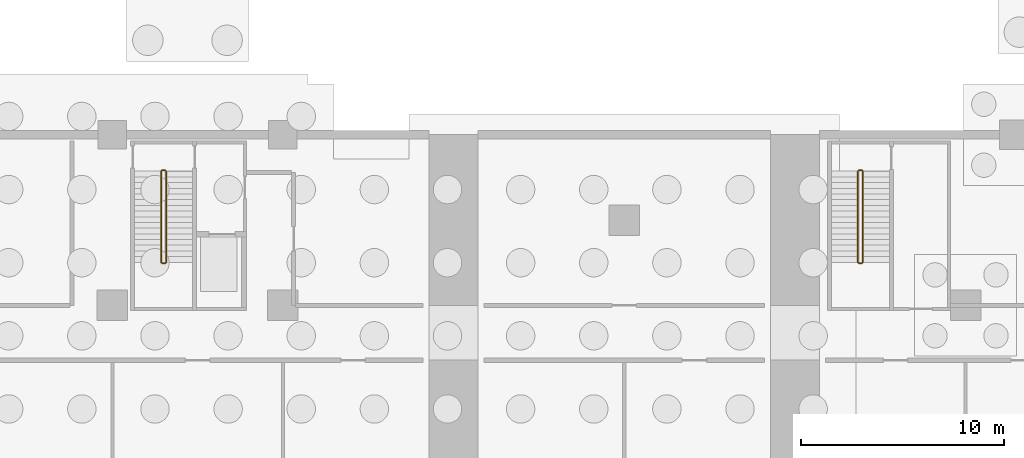
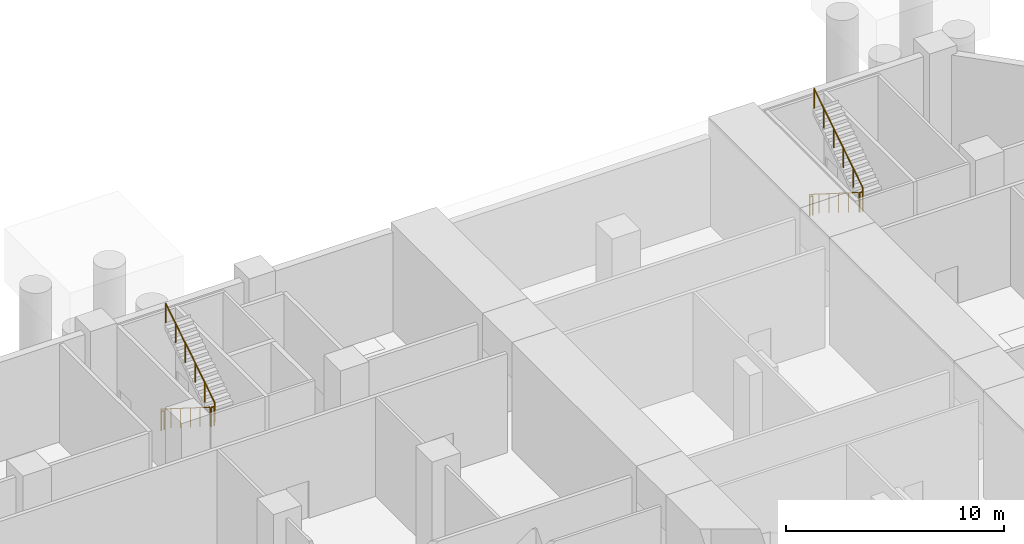
# One storey, part 12 of 13: 8 railings.
"""IFC4 building model written with IfcOpenShell, lengths in metres."""

from ifc_helpers import new_model, si_unit, direction, frame, origin, origin_2d, place, context, subcontext, project, spatial, circle, extrude, material, type_object, element, save


model = new_model("IFC4")

# Units and contexts
model_context = context("Model", 3, precision=1e-05, world=origin(), true_north=direction((0.0, 1.0)))
body_context = subcontext(model_context, "Body", "Model", "MODEL_VIEW")
ifc_project = project(units=[si_unit("LENGTHUNIT", "METRE"), si_unit("AREAUNIT", "SQUARE_METRE"), si_unit("VOLUMEUNIT", "CUBIC_METRE"), si_unit("PLANEANGLEUNIT", "RADIAN"), si_unit("MASSUNIT", "GRAM", prefix="KILO")], contexts=[model_context])

# Site, building, storey
site_placement = place(None, origin())
site = spatial("IfcSite", under=ifc_project, at=site_placement, CompositionType="ELEMENT")
building_placement = place(site_placement, origin())
building = spatial("IfcBuilding", under=site, at=building_placement, Name="Kawkab Arch Medical Tower", CompositionType="ELEMENT")
storey_placement = place(building_placement, frame((0.0, 0.0, -6.0)))
storey = spatial("IfcBuildingStorey", under=building, at=storey_placement, Name="B1", CompositionType="ELEMENT", Elevation=-6.0)

# Railings
ifc_material = material(Name="Stainless steel", Category="steel")
railing_type = type_object("IfcRailingType", Name="Stair guard 1100", PredefinedType="GUARDRAIL", material=ifc_material)
railing_1_placement = place(storey_placement, frame((44.39990234375, -1.800048828125, 0.176513671875)))
element("IfcRailing", 1, at=railing_1_placement, inside=storey, type_object=railing_type, Name="B1 ST5 stair guard 1", PredefinedType="GUARDRAIL", context=body_context, shape_type="SweptSolid", body=[
    extrude(circle(Radius=0.02392578125, at=origin_2d()), frame((0.0, 0.0, 1.076171875), z_axis=(0.0, -0.845997938375, 0.533186166611), x_axis=(1.0, 0.0, 0.0)), (0.0, 0.0, 1.0), 5.29541015625),
    extrude(circle(Radius=0.02099609375, at=origin_2d()), origin(), (0.0, 0.0, 1.0), 1.052001953125),
    extrude(circle(Radius=0.02099609375, at=origin_2d()), frame((0.0, -0.89599609375, 0.564697265625)), (0.0, 0.0, 1.0), 1.052001953125),
    extrude(circle(Radius=0.02099609375, at=origin_2d()), frame((0.0, -1.7919921875, 1.12939453125)), (0.0, 0.0, 1.0), 1.052001953125),
    extrude(circle(Radius=0.02099609375, at=origin_2d()), frame((0.0, -2.68798828125, 1.694091796875)), (0.0, 0.0, 1.0), 1.052001953125),
    extrude(circle(Radius=0.02099609375, at=origin_2d()), frame((0.0, -3.583984375, 2.2587890625)), (0.0, 0.0, 1.0), 1.052001953125),
    extrude(circle(Radius=0.02099609375, at=origin_2d()), frame((0.0, -4.47998046875, 2.823486328125)), (0.0, 0.0, 1.0), 1.052001953125),
])
railing_2_placement = place(storey_placement, frame((44.449951171875, -6.330078125, 3.0)))
element("IfcRailing", 2, at=railing_2_placement, inside=storey, type_object=railing_type, Name="B1 ST5 stair guard 2", PredefinedType="GUARDRAIL", context=body_context, shape_type="SweptSolid", body=[
    extrude(circle(Radius=0.02392578125, at=origin_2d()), frame((0.0, 0.0, 1.076171875), z_axis=(1.0, 0.0, 0.0), x_axis=(0.0, 1.0, 0.0)), (0.0, 0.0, 1.0), 0.150146484375),
    extrude(circle(Radius=0.02099609375, at=origin_2d()), origin(), (0.0, 0.0, 1.0), 1.052001953125),
    extrude(circle(Radius=0.02099609375, at=origin_2d()), frame((0.150146484375, 0.0, 0.0)), (0.0, 0.0, 1.0), 1.052001953125),
])
railing_3_placement = place(storey_placement, frame((44.64990234375, -6.280029296875, 3.176513671875)))
element("IfcRailing", 3, at=railing_3_placement, inside=storey, type_object=railing_type, Name="B1 ST5 stair guard 3", PredefinedType="GUARDRAIL", context=body_context, shape_type="SweptSolid", body=[
    extrude(circle(Radius=0.02392578125, at=origin_2d()), frame((0.0, 0.0, 1.076171875), z_axis=(0.0, 0.845997938375, 0.533186166611), x_axis=(-1.0, 0.0, 0.0)), (0.0, 0.0, 1.0), 5.29541015625),
    extrude(circle(Radius=0.02099609375, at=origin_2d()), origin(), (0.0, 0.0, 1.0), 1.052001953125),
    extrude(circle(Radius=0.02099609375, at=origin_2d()), frame((0.0, 0.89599609375, 0.564697265625)), (0.0, 0.0, 1.0), 1.052001953125),
    extrude(circle(Radius=0.02099609375, at=origin_2d()), frame((0.0, 1.7919921875, 1.12939453125)), (0.0, 0.0, 1.0), 1.052001953125),
    extrude(circle(Radius=0.02099609375, at=origin_2d()), frame((0.0, 2.68798828125, 1.694091796875)), (0.0, 0.0, 1.0), 1.052001953125),
    extrude(circle(Radius=0.02099609375, at=origin_2d()), frame((0.0, 3.583984375, 2.2587890625)), (0.0, 0.0, 1.0), 1.052001953125),
    extrude(circle(Radius=0.02099609375, at=origin_2d()), frame((0.0, 4.47998046875, 2.823486328125)), (0.0, 0.0, 1.0), 1.052001953125),
])
railing_4_placement = place(storey_placement, frame((44.449951171875, -1.75, 0.0)))
element("IfcRailing", 4, at=railing_4_placement, inside=storey, type_object=railing_type, Name="B1 ST5 stair guard 4", PredefinedType="GUARDRAIL", context=body_context, shape_type="SweptSolid", body=[
    extrude(circle(Radius=0.02392578125, at=origin_2d()), frame((0.0, 0.0, 1.076171875), z_axis=(1.0, 0.0, 0.0), x_axis=(0.0, 1.0, 0.0)), (0.0, 0.0, 1.0), 0.150146484375),
    extrude(circle(Radius=0.02099609375, at=origin_2d()), origin(), (0.0, 0.0, 1.0), 1.052001953125),
    extrude(circle(Radius=0.02099609375, at=origin_2d()), frame((0.150146484375, 0.0, 0.0)), (0.0, 0.0, 1.0), 1.052001953125),
])
railing_5_placement = place(storey_placement, frame((78.699951171875, -1.800048828125, 0.176513671875)))
element("IfcRailing", 5, at=railing_5_placement, inside=storey, type_object=railing_type, Name="B1 ST7 stair guard 1", PredefinedType="GUARDRAIL", context=body_context, shape_type="SweptSolid", body=[
    extrude(circle(Radius=0.02392578125, at=origin_2d()), frame((0.0, 0.0, 1.076171875), z_axis=(0.0, -0.845997938375, 0.533186166611), x_axis=(1.0, 0.0, 0.0)), (0.0, 0.0, 1.0), 5.29541015625),
    extrude(circle(Radius=0.02099609375, at=origin_2d()), origin(), (0.0, 0.0, 1.0), 1.052001953125),
    extrude(circle(Radius=0.02099609375, at=origin_2d()), frame((0.0, -0.89599609375, 0.564697265625)), (0.0, 0.0, 1.0), 1.052001953125),
    extrude(circle(Radius=0.02099609375, at=origin_2d()), frame((0.0, -1.7919921875, 1.12939453125)), (0.0, 0.0, 1.0), 1.052001953125),
    extrude(circle(Radius=0.02099609375, at=origin_2d()), frame((0.0, -2.68798828125, 1.694091796875)), (0.0, 0.0, 1.0), 1.052001953125),
    extrude(circle(Radius=0.02099609375, at=origin_2d()), frame((0.0, -3.583984375, 2.2587890625)), (0.0, 0.0, 1.0), 1.052001953125),
    extrude(circle(Radius=0.02099609375, at=origin_2d()), frame((0.0, -4.47998046875, 2.823486328125)), (0.0, 0.0, 1.0), 1.052001953125),
])
railing_6_placement = place(storey_placement, frame((78.75, -6.330078125, 3.0)))
element("IfcRailing", 6, at=railing_6_placement, inside=storey, type_object=railing_type, Name="B1 ST7 stair guard 2", PredefinedType="GUARDRAIL", context=body_context, shape_type="SweptSolid", body=[
    extrude(circle(Radius=0.02392578125, at=origin_2d()), frame((0.0, 0.0, 1.076171875), z_axis=(1.0, 0.0, 0.0), x_axis=(0.0, 1.0, 0.0)), (0.0, 0.0, 1.0), 0.14990234375),
    extrude(circle(Radius=0.02099609375, at=origin_2d()), origin(), (0.0, 0.0, 1.0), 1.052001953125),
    extrude(circle(Radius=0.02099609375, at=origin_2d()), frame((0.14990234375, 0.0, 0.0)), (0.0, 0.0, 1.0), 1.052001953125),
])
railing_7_placement = place(storey_placement, frame((78.949951171875, -6.280029296875, 3.176513671875)))
element("IfcRailing", 7, at=railing_7_placement, inside=storey, type_object=railing_type, Name="B1 ST7 stair guard 3", PredefinedType="GUARDRAIL", context=body_context, shape_type="SweptSolid", body=[
    extrude(circle(Radius=0.02392578125, at=origin_2d()), frame((0.0, 0.0, 1.076171875), z_axis=(0.0, 0.845997938375, 0.533186166611), x_axis=(-1.0, 0.0, 0.0)), (0.0, 0.0, 1.0), 5.29541015625),
    extrude(circle(Radius=0.02099609375, at=origin_2d()), origin(), (0.0, 0.0, 1.0), 1.052001953125),
    extrude(circle(Radius=0.02099609375, at=origin_2d()), frame((0.0, 0.89599609375, 0.564697265625)), (0.0, 0.0, 1.0), 1.052001953125),
    extrude(circle(Radius=0.02099609375, at=origin_2d()), frame((0.0, 1.7919921875, 1.12939453125)), (0.0, 0.0, 1.0), 1.052001953125),
    extrude(circle(Radius=0.02099609375, at=origin_2d()), frame((0.0, 2.68798828125, 1.694091796875)), (0.0, 0.0, 1.0), 1.052001953125),
    extrude(circle(Radius=0.02099609375, at=origin_2d()), frame((0.0, 3.583984375, 2.2587890625)), (0.0, 0.0, 1.0), 1.052001953125),
    extrude(circle(Radius=0.02099609375, at=origin_2d()), frame((0.0, 4.47998046875, 2.823486328125)), (0.0, 0.0, 1.0), 1.052001953125),
])
railing_8_placement = place(storey_placement, frame((78.75, -1.75, 0.0)))
element("IfcRailing", 8, at=railing_8_placement, inside=storey, type_object=railing_type, Name="B1 ST7 stair guard 4", PredefinedType="GUARDRAIL", context=body_context, shape_type="SweptSolid", body=[
    extrude(circle(Radius=0.02392578125, at=origin_2d()), frame((0.0, 0.0, 1.076171875), z_axis=(1.0, 0.0, 0.0), x_axis=(0.0, 1.0, 0.0)), (0.0, 0.0, 1.0), 0.14990234375),
    extrude(circle(Radius=0.02099609375, at=origin_2d()), origin(), (0.0, 0.0, 1.0), 1.052001953125),
    extrude(circle(Radius=0.02099609375, at=origin_2d()), frame((0.14990234375, 0.0, 0.0)), (0.0, 0.0, 1.0), 1.052001953125),
])

save(model, "model.ifc")
